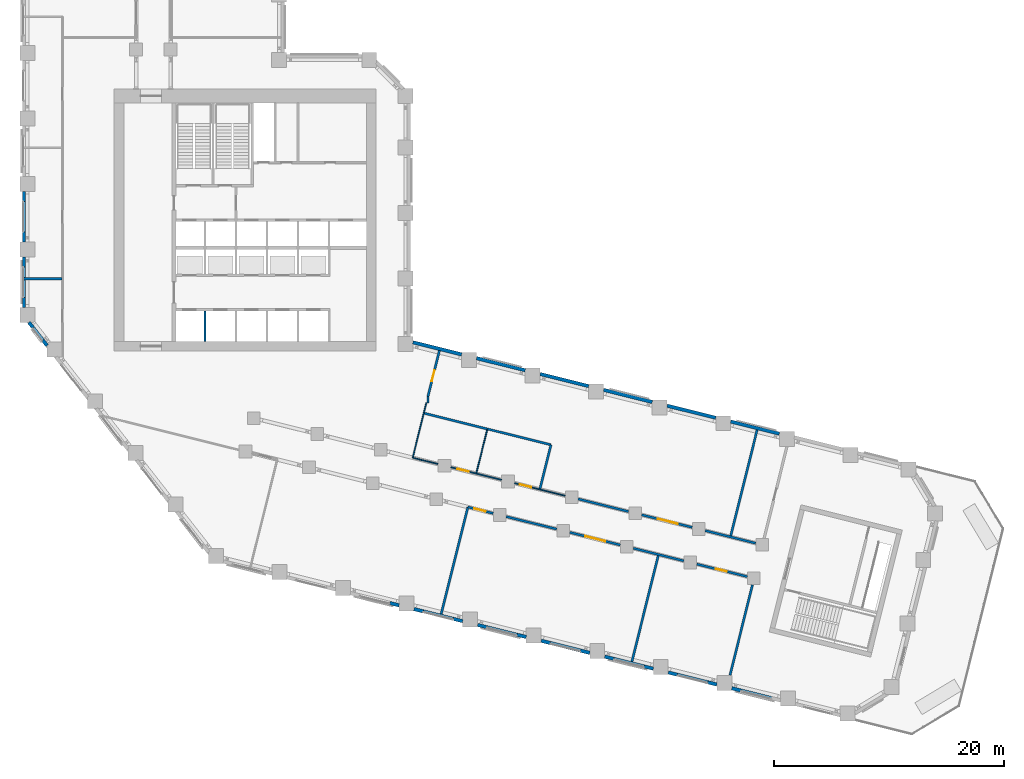
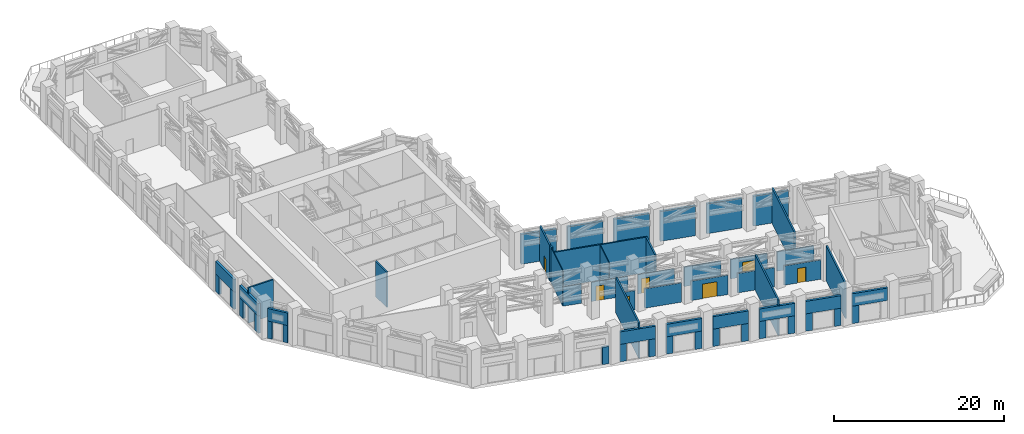
# One storey, part 13 of 21: 56 walls, 7 doors, 7 openings.
"""IFC4 building model written with IfcOpenShell, lengths in metres."""

from ifc_helpers import new_model, si_unit, direction, frame, frame_2d, origin, place, context, subcontext, project, spatial, rectangle, extrude, material, layer, layer_set, type_object, element, fill, save


model = new_model("IFC4")

# Units and contexts
model_context = context("Model", 3, precision=1e-05, world=origin(), true_north=direction((0.0, 1.0)))
body_context = subcontext(model_context, "Body", "Model", "MODEL_VIEW")
ifc_project = project(units=[si_unit("LENGTHUNIT", "METRE"), si_unit("AREAUNIT", "SQUARE_METRE"), si_unit("VOLUMEUNIT", "CUBIC_METRE"), si_unit("PLANEANGLEUNIT", "RADIAN"), si_unit("MASSUNIT", "GRAM", prefix="KILO")], contexts=[model_context])

# Site, building, storey
site_placement = place(None, origin())
site = spatial("IfcSite", under=ifc_project, at=site_placement, CompositionType="ELEMENT")
building_placement = place(site_placement, origin())
building = spatial("IfcBuilding", under=site, at=building_placement, Name="Meshkara Civic Tower", CompositionType="ELEMENT")
storey_placement = place(building_placement, frame((0.0, 0.0, 156.0)))
storey = spatial("IfcBuildingStorey", under=building, at=storey_placement, Name="L35", CompositionType="ELEMENT", Elevation=156.0)

# Walls
ifc_material_1 = material(Name="Corridor wall 100")
ifc_layer_1 = layer(ifc_material_1, 0.10009765625)
ifc_layer_set_1 = layer_set([ifc_layer_1], Name="Corridor wall 100")
wall_type_1 = type_object("IfcWallType", Name="Corridor wall 100", PredefinedType="PARTITIONING", material=ifc_layer_set_1)
wall_1_placement = place(storey_placement, frame((33.97607421875, 4.823974609375, 0.0), z_axis=(0.0, 0.0, 1.0), x_axis=(0.241940400058, 0.970291112409, 0.0)))
element("IfcWall", 1, at=wall_1_placement, inside=storey, type_object=wall_type_1, Name="L35-R015", PredefinedType="PARTITIONING", context=body_context, shape_type="SweptSolid", body=[
    extrude(rectangle(XDim=4.92236328125, YDim=0.10009765625, at=frame_2d((2.461181640625, 0.0))), origin(), (0.0, 0.0, 1.0), 5.10009765625),
])
wall_2_placement = place(storey_placement, frame((36.172119140625, 4.27587890625, 0.0), z_axis=(0.0, 0.0, 1.0), x_axis=(-0.970237599658, 0.242154909531, 0.0)))
element("IfcWall", 2, at=wall_2_placement, inside=storey, type_object=wall_type_1, Name="L35-R018", PredefinedType="PARTITIONING", context=body_context, shape_type="SweptSolid", body=[
    extrude(rectangle(XDim=2.263427734375, YDim=0.10009765625, at=frame_2d((1.1318359375, 0.0))), origin(), (0.0, 0.0, 1.0), 2.780029296875),
])

# Wall, opening, door
wall_3_placement = place(storey_placement, frame((37.31201171875, 3.991943359375, 0.0), z_axis=(0.0, 0.0, 1.0), x_axis=(0.97032316764, -0.241811807697, 0.0)))
wall_3 = element("IfcWall", 3, at=wall_3_placement, inside=storey, type_object=wall_type_1, Name="L35-R020", PredefinedType="PARTITIONING", context=body_context, shape_type="SweptSolid", body=[
    extrude(rectangle(XDim=4.524169921875, YDim=0.10009765625, at=frame_2d((2.26220703125, 0.0))), origin(), (0.0, 0.0, 1.0), 2.780029296875),
])
opening_1_placement = place(wall_3_placement, frame((0.580078125, 0.0, 0.0)))
opening_1 = element("IfcOpeningElement", 4, at=opening_1_placement, cuts=wall_3, Name="Opening L35-P005", PredefinedType="OPENING", context=body_context, shape_type="SweptSolid", body=[
    extrude(rectangle(XDim=1.0, YDim=2.10009765625, at=frame_2d((0.5, 1.050048828125))), frame((0.0, 0.06005859375, 0.0), z_axis=(0.0, -1.0, 0.0), x_axis=(1.0, 0.0, 0.0)), (0.0, 0.0, 1.0), 0.1201171875),
])
ifc_material_2 = material(Name="Door 1000 x 2100")
door_type_1 = type_object("IfcDoorType", Name="Door 1000 x 2100", OperationType="SINGLE_SWING_LEFT", PredefinedType="DOOR", material=ifc_material_2)
door_1_placement = place(opening_1_placement, origin())
door_1 = element("IfcDoor", 5, at=door_1_placement, inside=storey, type_object=door_type_1, Name="L35-P005", OperationType="SINGLE_SWING_RIGHT", OverallHeight=2.10009765625, OverallWidth=1.0, PredefinedType="DOOR", context=body_context, shape_type="SweptSolid", body=[
    extrude(rectangle(XDim=1.0, YDim=2.10009765625, at=frame_2d((0.5, 1.050048828125))), frame((0.0, 0.02490234375, 0.0), z_axis=(0.0, -1.0, 0.0), x_axis=(1.0, 0.0, 0.0)), (0.0, 0.0, 1.0), 0.050048828125),
])
fill(opening_1, door_1)

wall_4_placement = place(storey_placement, frame((42.842041015625, 2.614013671875, 0.0), z_axis=(0.0, 0.0, 1.0), x_axis=(0.970285139969, -0.241964351001, 0.0)))
wall_4 = element("IfcWall", 6, at=wall_4_placement, inside=storey, type_object=wall_type_1, Name="L35-R023", PredefinedType="PARTITIONING", context=body_context, shape_type="SweptSolid", body=[
    extrude(rectangle(XDim=4.525390625, YDim=0.10009765625, at=frame_2d((2.2626953125, 0.0))), origin(), (0.0, 0.0, 1.0), 2.780029296875),
])
opening_2_placement = place(wall_4_placement, frame((0.47998046875, 0.0, 0.0)))
opening_2 = element("IfcOpeningElement", 7, at=opening_2_placement, cuts=wall_4, Name="Opening L35-P007", PredefinedType="OPENING", context=body_context, shape_type="SweptSolid", body=[
    extrude(rectangle(XDim=1.0, YDim=2.10009765625, at=frame_2d((0.5, 1.050048828125))), frame((0.0, 0.06005859375, 0.0), z_axis=(0.0, -1.0, 0.0), x_axis=(1.0, 0.0, 0.0)), (0.0, 0.0, 1.0), 0.1201171875),
])
door_2_placement = place(opening_2_placement, origin())
door_2 = element("IfcDoor", 8, at=door_2_placement, inside=storey, type_object=door_type_1, Name="L35-P007", OperationType="SINGLE_SWING_LEFT", OverallHeight=2.10009765625, OverallWidth=1.0, PredefinedType="DOOR", context=body_context, shape_type="SweptSolid", body=[
    extrude(rectangle(XDim=1.0, YDim=2.10009765625, at=frame_2d((0.5, 1.050048828125))), frame((0.0, 0.02490234375, 0.0), z_axis=(0.0, -1.0, 0.0), x_axis=(1.0, 0.0, 0.0)), (0.0, 0.0, 1.0), 0.050048828125),
])
fill(opening_2, door_2)

# Walls
ifc_material_3 = material(Name="Insulated infill panel with bronze anodised aluminium cladding", Category="aluminium")
ifc_layer_2 = layer(ifc_material_3, 0.300048828125)
ifc_layer_set_2 = layer_set([ifc_layer_2], Name="EXTERNAL INFILL WALL 300")
wall_type_2 = type_object("IfcWallType", Name="EXTERNAL INFILL WALL 300", PredefinedType="SOLIDWALL", material=ifc_layer_set_2)
wall_5_placement = place(storey_placement, frame((65.884033203125, 6.9169921875, 0.0), z_axis=(0.0, 0.0, 1.0), x_axis=(-0.970346363444, 0.241718710386, 0.0)))
element("IfcWall", 9, at=wall_5_placement, inside=storey, type_object=wall_type_2, Name="External wall", PredefinedType="SOLIDWALL", context=body_context, shape_type="SweptSolid", body=[
    extrude(rectangle(XDim=4.3603515625, YDim=0.300048828125, at=frame_2d((2.18017578125, 0.0))), origin(), (0.0, 0.0, 1.0), 4.300048828125),
])
wall_6_placement = place(storey_placement, frame((60.35302734375, 8.2958984375, 0.0), z_axis=(0.0, 0.0, 1.0), x_axis=(-0.970320133294, 0.241823983352, 0.0)))
element("IfcWall", 10, at=wall_6_placement, inside=storey, type_object=wall_type_2, Name="External wall", PredefinedType="SOLIDWALL", context=body_context, shape_type="SweptSolid", body=[
    extrude(rectangle(XDim=4.359375, YDim=0.300048828125, at=frame_2d((2.1796875, 0.0))), origin(), (0.0, 0.0, 1.0), 4.300048828125),
])
for number, where, z_axis, x_axis, name in (
    (11, (54.822998046875, 9.675048828125, 0.0), (0.0, 0.0, 1.0), (-0.970346363444, 0.241718710386, 0.0), "External wall"),
    (12, (49.2919921875, 11.053955078125, 0.0), (0.0, 0.0, 1.0), (-0.970346363444, 0.241718710386, 0.0), "External wall"),
):
    element("IfcWall", number, at=place(storey_placement, frame(where, z_axis=z_axis, x_axis=x_axis)), inside=storey, type_object=wall_type_2, Name=name, PredefinedType="SOLIDWALL", context=body_context, shape_type="SweptSolid", body=[
        extrude(rectangle(XDim=4.3603515625, YDim=0.300048828125, at=frame_2d((2.18017578125, 0.0))), origin(), (0.0, 0.0, 1.0), 4.300048828125),
    ])
wall_7_placement = place(storey_placement, frame((43.760986328125, 12.43310546875, 0.0), z_axis=(0.0, 0.0, 1.0), x_axis=(-0.970333273122, 0.241771253611, 0.0)))
element("IfcWall", 13, at=wall_7_placement, inside=storey, type_object=wall_type_2, Name="External wall", PredefinedType="SOLIDWALL", context=body_context, shape_type="SweptSolid", body=[
    extrude(rectangle(XDim=4.359375, YDim=0.300048828125, at=frame_2d((2.1796875, 0.0))), origin(), (0.0, 0.0, 1.0), 4.300048828125),
])
wall_8_placement = place(storey_placement, frame((38.23095703125, 13.81201171875, 0.0), z_axis=(0.0, 0.0, 1.0), x_axis=(-0.970346363444, 0.241718710386, 0.0)))
element("IfcWall", 14, at=wall_8_placement, inside=storey, type_object=wall_type_2, Name="External wall", PredefinedType="SOLIDWALL", context=body_context, shape_type="SweptSolid", body=[
    extrude(rectangle(XDim=4.3603515625, YDim=0.300048828125, at=frame_2d((2.18017578125, 0.0))), origin(), (0.0, 0.0, 1.0), 4.300048828125),
])
wall_9_placement = place(storey_placement, frame((0.14990234375, 28.0048828125, 2.5), z_axis=(0.0, 0.0, 1.0), x_axis=(0.0, -1.0, 0.0)))
element("IfcWall", 15, at=wall_9_placement, inside=storey, type_object=wall_type_2, Name="External wall", PredefinedType="SOLIDWALL", context=body_context, shape_type="SweptSolid", body=[
    extrude(rectangle(XDim=4.39990234375, YDim=0.300048828125, at=frame_2d((2.199951171875, 0.0))), origin(), (0.0, 0.0, 1.0), 1.800048828125),
])
wall_10_placement = place(storey_placement, frame((0.14990234375, 22.303955078125, 2.5), z_axis=(0.0, 0.0, 1.0), x_axis=(0.0, -1.0, 0.0)))
element("IfcWall", 16, at=wall_10_placement, inside=storey, type_object=wall_type_2, Name="External wall", PredefinedType="SOLIDWALL", context=body_context, shape_type="SweptSolid", body=[
    extrude(rectangle(XDim=4.39892578125, YDim=0.300048828125, at=frame_2d((2.199462890625, 0.0))), origin(), (0.0, 0.0, 1.0), 1.800048828125),
])
wall_11_placement = place(storey_placement, frame((0.576904296875, 16.60498046875, 2.5), z_axis=(0.0, 0.0, 1.0), x_axis=(0.615748804275, -0.787942516961, 0.0)))
element("IfcWall", 17, at=wall_11_placement, inside=storey, type_object=wall_type_2, Name="External wall", PredefinedType="SOLIDWALL", context=body_context, shape_type="SweptSolid", body=[
    extrude(rectangle(XDim=2.57763671875, YDim=0.300048828125, at=frame_2d((1.288818359375, 0.0))), origin(), (0.0, 0.0, 1.0), 1.800048828125),
])
for number, where, z_axis, x_axis, name in (
    (18, (34.093017578125, -8.345947265625, 2.5), (0.0, 0.0, 1.0), (0.970346363444, -0.241718710386, 0.0), "External wall"),
    (19, (39.6240234375, -9.72509765625, 2.5), (0.0, 0.0, 1.0), (0.970346363444, -0.241718710386, 0.0), "External wall"),
):
    element("IfcWall", number, at=place(storey_placement, frame(where, z_axis=z_axis, x_axis=x_axis)), inside=storey, type_object=wall_type_2, Name=name, PredefinedType="SOLIDWALL", context=body_context, shape_type="SweptSolid", body=[
        extrude(rectangle(XDim=4.3603515625, YDim=0.300048828125, at=frame_2d((2.18017578125, 0.0))), origin(), (0.0, 0.0, 1.0), 1.800048828125),
    ])
wall_12_placement = place(storey_placement, frame((45.155029296875, -11.10400390625, 2.5), z_axis=(0.0, 0.0, 1.0), x_axis=(0.970333273122, -0.241771253611, 0.0)))
element("IfcWall", 20, at=wall_12_placement, inside=storey, type_object=wall_type_2, Name="External wall", PredefinedType="SOLIDWALL", context=body_context, shape_type="SweptSolid", body=[
    extrude(rectangle(XDim=4.359375, YDim=0.300048828125, at=frame_2d((2.1796875, 0.0))), origin(), (0.0, 0.0, 1.0), 1.800048828125),
])
wall_13_placement = place(storey_placement, frame((50.68505859375, -12.48291015625, 2.5), z_axis=(0.0, 0.0, 1.0), x_axis=(0.97033322915, -0.24177143009, 0.0)))
element("IfcWall", 21, at=wall_13_placement, inside=storey, type_object=wall_type_2, Name="External wall", PredefinedType="SOLIDWALL", context=body_context, shape_type="SweptSolid", body=[
    extrude(rectangle(XDim=4.3603515625, YDim=0.300048828125, at=frame_2d((2.18017578125, 0.0))), origin(), (0.0, 0.0, 1.0), 1.800048828125),
])
wall_14_placement = place(storey_placement, frame((56.216064453125, -13.861083984375, 2.5), z_axis=(0.0, 0.0, 1.0), x_axis=(0.970293811216, -0.241929576357, 0.0)))
element("IfcWall", 22, at=wall_14_placement, inside=storey, type_object=wall_type_2, Name="External wall", PredefinedType="SOLIDWALL", context=body_context, shape_type="SweptSolid", body=[
    extrude(rectangle(XDim=4.360595703125, YDim=0.300048828125, at=frame_2d((2.18017578125, 0.0))), origin(), (0.0, 0.0, 1.0), 1.800048828125),
])
wall_15_placement = place(storey_placement, frame((61.7470703125, -15.239990234375, 2.5), z_axis=(0.0, 0.0, 1.0), x_axis=(0.970280698755, -0.241982159721, 0.0)))
element("IfcWall", 23, at=wall_15_placement, inside=storey, type_object=wall_type_2, Name="External wall", PredefinedType="SOLIDWALL", context=body_context, shape_type="SweptSolid", body=[
    extrude(rectangle(XDim=4.359619140625, YDim=0.300048828125, at=frame_2d((2.1796875, 0.0))), origin(), (0.0, 0.0, 1.0), 1.800048828125),
])
ifc_material_4 = material(Name="Fire-rated wall 200")
ifc_layer_3 = layer(ifc_material_4, 0.199951171875)
ifc_layer_set_3 = layer_set([ifc_layer_3], Name="Fire-rated wall 200")
wall_type_3 = type_object("IfcWallType", Name="Fire-rated wall 200", PredefinedType="PARTITIONING", material=ifc_layer_set_3)
wall_16_placement = place(storey_placement, frame((35.300048828125, 9.60009765625, 0.0), z_axis=(0.0, 0.0, 1.0), x_axis=(0.0, 1.0, 0.0)))
element("IfcWall", 24, at=wall_16_placement, inside=storey, type_object=wall_type_3, Name="L35-R016", PredefinedType="PARTITIONING", context=body_context, shape_type="SweptSolid", body=[
    extrude(rectangle(XDim=0.533935546875, YDim=0.199951171875, at=frame_2d((0.26708984375, 0.0))), origin(), (0.0, 0.0, 1.0), 5.10009765625),
])

# Wall, opening, door
wall_17_placement = place(storey_placement, frame((35.300048828125, 10.134033203125, 0.0), z_axis=(0.0, 0.0, 1.0), x_axis=(0.242037004533, 0.970267019143, 0.0)))
wall_17 = element("IfcWall", 25, at=wall_17_placement, inside=storey, type_object=wall_type_3, Name="L35-R017", PredefinedType="PARTITIONING", context=body_context, shape_type="SweptSolid", body=[
    extrude(rectangle(XDim=4.147705078125, YDim=0.199951171875, at=frame_2d((2.07373046875, 0.0))), origin(), (0.0, 0.0, 1.0), 5.10009765625),
])
opening_3_placement = place(wall_17_placement, frame((1.3798828125, 0.0, 0.0)))
opening_3 = element("IfcOpeningElement", 26, at=opening_3_placement, cuts=wall_17, Name="Opening L35-P009", PredefinedType="OPENING", context=body_context, shape_type="SweptSolid", body=[
    extrude(rectangle(XDim=1.0, YDim=2.10009765625, at=frame_2d((0.5, 1.050048828125))), frame((0.0, 0.10986328125, 0.0), z_axis=(0.0, -1.0, 0.0), x_axis=(1.0, 0.0, 0.0)), (0.0, 0.0, 1.0), 0.219970703125),
])
door_3_placement = place(opening_3_placement, origin())
door_3 = element("IfcDoor", 27, at=door_3_placement, inside=storey, type_object=door_type_1, Name="L35-P009", OperationType="SINGLE_SWING_LEFT", OverallHeight=2.10009765625, OverallWidth=1.0, PredefinedType="DOOR", context=body_context, shape_type="SweptSolid", body=[
    extrude(rectangle(XDim=1.0, YDim=2.10009765625, at=frame_2d((0.5, 1.050048828125))), frame((0.0, 0.02490234375, 0.0), z_axis=(0.0, -1.0, 0.0), x_axis=(1.0, 0.0, 0.0)), (0.0, 0.0, 1.0), 0.050048828125),
])
fill(opening_3, door_3)

# Wall
wall_18_placement = place(storey_placement, frame((36.404296875, -9.000244140625, 0.0), z_axis=(0.0, 0.0, 1.0), x_axis=(0.241880791135, 0.970305973845, 0.0)))
element("IfcWall", 28, at=wall_18_placement, inside=storey, type_object=wall_type_3, Name="L35-R019", PredefinedType="PARTITIONING", context=body_context, shape_type="SweptSolid", body=[
    extrude(rectangle(XDim=9.825927734375, YDim=0.199951171875, at=frame_2d((4.9130859375, 0.0))), origin(), (0.0, 0.0, 1.0), 5.10009765625),
])

# Wall, opening, door
wall_19_placement = place(storey_placement, frame((38.781005859375, 0.533935546875, 0.0), z_axis=(0.0, 0.0, 1.0), x_axis=(0.970338982195, -0.241748339463, 0.0)))
wall_19 = element("IfcWall", 29, at=wall_19_placement, inside=storey, type_object=wall_type_3, Name="L35-R021", PredefinedType="PARTITIONING", context=body_context, shape_type="SweptSolid", body=[
    extrude(rectangle(XDim=2.26220703125, YDim=0.199951171875, at=frame_2d((1.131103515625, 0.0))), origin(), (0.0, 0.0, 1.0), 2.780029296875),
])
opening_4_placement = place(wall_19_placement, frame((0.580078125, 0.0, 0.0)))
opening_4 = element("IfcOpeningElement", 30, at=opening_4_placement, cuts=wall_19, Name="Opening L35-P006", PredefinedType="OPENING", context=body_context, shape_type="SweptSolid", body=[
    extrude(rectangle(XDim=1.0, YDim=2.10009765625, at=frame_2d((0.5, 1.050048828125))), frame((0.0, 0.10986328125, 0.0), z_axis=(0.0, -1.0, 0.0), x_axis=(1.0, 0.0, 0.0)), (0.0, 0.0, 1.0), 0.219970703125),
])
door_4_placement = place(opening_4_placement, origin())
door_4 = element("IfcDoor", 31, at=door_4_placement, inside=storey, type_object=door_type_1, Name="L35-P006", OperationType="SINGLE_SWING_RIGHT", OverallHeight=2.10009765625, OverallWidth=1.0, PredefinedType="DOOR", context=body_context, shape_type="SweptSolid", body=[
    extrude(rectangle(XDim=1.0, YDim=2.10009765625, at=frame_2d((0.5, 1.050048828125))), frame((0.0, 0.02490234375, 0.0), z_axis=(0.0, -1.0, 0.0), x_axis=(1.0, 0.0, 0.0)), (0.0, 0.0, 1.0), 0.050048828125),
])
fill(opening_4, door_4)

# Wall
wall_20_placement = place(storey_placement, frame((42.115966796875, -0.298095703125, 0.0), z_axis=(0.0, 0.0, 1.0), x_axis=(0.97033893856, -0.241748514605, 0.0)))
element("IfcWall", 32, at=wall_20_placement, inside=storey, type_object=wall_type_3, Name="L35-R022", PredefinedType="PARTITIONING", context=body_context, shape_type="SweptSolid", body=[
    extrude(rectangle(XDim=4.525390625, YDim=0.199951171875, at=frame_2d((2.2626953125, 0.0))), origin(), (0.0, 0.0, 1.0), 2.780029296875),
])

# Wall, opening, door
wall_21_placement = place(storey_placement, frame((47.64697265625, -1.677001953125, 0.0), z_axis=(0.0, 0.0, 1.0), x_axis=(0.97033893856, -0.241748514605, 0.0)))
wall_21 = element("IfcWall", 33, at=wall_21_placement, inside=storey, type_object=wall_type_3, Name="L35-R024", PredefinedType="PARTITIONING", context=body_context, shape_type="SweptSolid", body=[
    extrude(rectangle(XDim=4.525390625, YDim=0.199951171875, at=frame_2d((2.2626953125, 0.0))), origin(), (0.0, 0.0, 1.0), 2.780029296875),
])
opening_5_placement = place(wall_21_placement, frame((1.3798828125, 0.0, 0.0)))
opening_5 = element("IfcOpeningElement", 34, at=opening_5_placement, cuts=wall_21, Name="Opening L35-P001", PredefinedType="OPENING", context=body_context, shape_type="SweptSolid", body=[
    extrude(rectangle(XDim=1.800048828125, YDim=2.10009765625, at=frame_2d((0.89990234375, 1.050048828125))), frame((0.0, 0.10986328125, 0.0), z_axis=(0.0, -1.0, 0.0), x_axis=(1.0, 0.0, 0.0)), (0.0, 0.0, 1.0), 0.219970703125),
])
ifc_material_5 = material(Name="Door pair 1800 x 2100")
door_type_2 = type_object("IfcDoorType", Name="Door pair 1800 x 2100", OperationType="SINGLE_SWING_LEFT", PredefinedType="DOOR", material=ifc_material_5)
door_5_placement = place(opening_5_placement, origin())
door_5 = element("IfcDoor", 35, at=door_5_placement, inside=storey, type_object=door_type_2, Name="L35-P001", OperationType="DOUBLE_DOOR_SINGLE_SWING", OverallHeight=2.10009765625, OverallWidth=1.800048828125, PredefinedType="DOOR", context=body_context, shape_type="SweptSolid", body=[
    extrude(rectangle(XDim=1.800048828125, YDim=2.10009765625, at=frame_2d((0.89990234375, 1.050048828125))), frame((0.0, 0.02490234375, 0.0), z_axis=(0.0, -1.0, 0.0), x_axis=(1.0, 0.0, 0.0)), (0.0, 0.0, 1.0), 0.050048828125),
])
fill(opening_5, door_5)

# Walls
wall_22_placement = place(storey_placement, frame((52.763916015625, 0.139892578125, 0.0), z_axis=(0.0, 0.0, 1.0), x_axis=(-0.970335785367, 0.241761170655, 0.0)))
element("IfcWall", 36, at=wall_22_placement, inside=storey, type_object=wall_type_3, Name="L35-R025", PredefinedType="PARTITIONING", context=body_context, shape_type="SweptSolid", body=[
    extrude(rectangle(XDim=4.525146484375, YDim=0.199951171875, at=frame_2d((2.2626953125, 0.0))), origin(), (0.0, 0.0, 1.0), 2.780029296875),
])
wall_23_placement = place(storey_placement, frame((53.177978515625, -3.055908203125, 0.0), z_axis=(0.0, 0.0, 1.0), x_axis=(0.97033893856, -0.241748514605, 0.0)))
element("IfcWall", 37, at=wall_23_placement, inside=storey, type_object=wall_type_3, Name="L35-R026", PredefinedType="PARTITIONING", context=body_context, shape_type="SweptSolid", body=[
    extrude(rectangle(XDim=4.525390625, YDim=0.199951171875, at=frame_2d((2.2626953125, 0.0))), origin(), (0.0, 0.0, 1.0), 2.780029296875),
])

# Wall, opening, door
wall_24_placement = place(storey_placement, frame((58.2939453125, -1.239013671875, 0.0), z_axis=(0.0, 0.0, 1.0), x_axis=(-0.97032316764, 0.241811807697, 0.0)))
wall_24 = element("IfcWall", 38, at=wall_24_placement, inside=storey, type_object=wall_type_3, Name="L35-R027", PredefinedType="PARTITIONING", context=body_context, shape_type="SweptSolid", body=[
    extrude(rectangle(XDim=4.524169921875, YDim=0.199951171875, at=frame_2d((2.26220703125, 0.0))), origin(), (0.0, 0.0, 1.0), 2.780029296875),
])
opening_6_placement = place(wall_24_placement, frame((1.280029296875, 0.0, 0.0)))
opening_6 = element("IfcOpeningElement", 39, at=opening_6_placement, cuts=wall_24, Name="Opening L35-P002", PredefinedType="OPENING", context=body_context, shape_type="SweptSolid", body=[
    extrude(rectangle(XDim=1.800048828125, YDim=2.10009765625, at=frame_2d((0.89990234375, 1.050048828125))), frame((0.0, 0.10986328125, 0.0), z_axis=(0.0, -1.0, 0.0), x_axis=(1.0, 0.0, 0.0)), (0.0, 0.0, 1.0), 0.219970703125),
])
door_6_placement = place(opening_6_placement, origin())
door_6 = element("IfcDoor", 40, at=door_6_placement, inside=storey, type_object=door_type_2, Name="L35-P002", OperationType="DOUBLE_DOOR_SINGLE_SWING", OverallHeight=2.10009765625, OverallWidth=1.800048828125, PredefinedType="DOOR", context=body_context, shape_type="SweptSolid", body=[
    extrude(rectangle(XDim=1.800048828125, YDim=2.10009765625, at=frame_2d((0.89990234375, 1.050048828125))), frame((0.0, 0.02490234375, 0.0), z_axis=(0.0, -1.0, 0.0), x_axis=(1.0, 0.0, 0.0)), (0.0, 0.0, 1.0), 0.050048828125),
])
fill(opening_6, door_6)

wall_25_placement = place(storey_placement, frame((58.708984375, -4.43505859375, 0.0), z_axis=(0.0, 0.0, 1.0), x_axis=(0.970326322815, -0.241799146509, 0.0)))
wall_25 = element("IfcWall", 41, at=wall_25_placement, inside=storey, type_object=wall_type_3, Name="L35-R028", PredefinedType="PARTITIONING", context=body_context, shape_type="SweptSolid", body=[
    extrude(rectangle(XDim=4.5244140625, YDim=0.199951171875, at=frame_2d((2.26220703125, 0.0))), origin(), (0.0, 0.0, 1.0), 2.780029296875),
])
opening_7_placement = place(wall_25_placement, frame((1.679931640625, 0.0, 0.0)))
opening_7 = element("IfcOpeningElement", 42, at=opening_7_placement, cuts=wall_25, Name="Opening L35-P003", PredefinedType="OPENING", context=body_context, shape_type="SweptSolid", body=[
    extrude(rectangle(XDim=1.0, YDim=2.10009765625, at=frame_2d((0.5, 1.050048828125))), frame((0.0, 0.10986328125, 0.0), z_axis=(0.0, -1.0, 0.0), x_axis=(1.0, 0.0, 0.0)), (0.0, 0.0, 1.0), 0.219970703125),
])
door_7_placement = place(opening_7_placement, origin())
door_7 = element("IfcDoor", 43, at=door_7_placement, inside=storey, type_object=door_type_1, Name="L35-P003", OperationType="SINGLE_SWING_LEFT", OverallHeight=2.10009765625, OverallWidth=1.0, PredefinedType="DOOR", context=body_context, shape_type="SweptSolid", body=[
    extrude(rectangle(XDim=1.0, YDim=2.10009765625, at=frame_2d((0.5, 1.050048828125))), frame((0.0, 0.02490234375, 0.0), z_axis=(0.0, -1.0, 0.0), x_axis=(1.0, 0.0, 0.0)), (0.0, 0.0, 1.0), 0.050048828125),
])
fill(opening_7, door_7)

# Walls
wall_26_placement = place(storey_placement, frame((59.43408203125, -1.52294921875, 0.0), z_axis=(0.0, 0.0, 1.0), x_axis=(0.970285139969, -0.241964351001, 0.0)))
element("IfcWall", 44, at=wall_26_placement, inside=storey, type_object=wall_type_3, Name="L35-R029", PredefinedType="PARTITIONING", context=body_context, shape_type="SweptSolid", body=[
    extrude(rectangle(XDim=4.525390625, YDim=0.199951171875, at=frame_2d((2.2626953125, 0.0))), origin(), (0.0, 0.0, 1.0), 2.780029296875),
])
wall_27_placement = place(storey_placement, frame((63.548095703125, -6.240966796875, 0.0), z_axis=(0.0, 0.0, 1.0), x_axis=(-0.241890096052, -0.97030365424, 0.0)))
element("IfcWall", 45, at=wall_27_placement, inside=storey, type_object=wall_type_3, Name="L35-R030", PredefinedType="PARTITIONING", context=body_context, shape_type="SweptSolid", body=[
    extrude(rectangle(XDim=8.0986328125, YDim=0.199951171875, at=frame_2d((4.04931640625, 0.0))), origin(), (0.0, 0.0, 1.0), 5.10009765625),
])
wall_28_placement = place(storey_placement, frame((3.449951171875, 20.39990234375, 0.0), z_axis=(0.0, 0.0, 1.0), x_axis=(-1.0, 0.0, 0.0)))
element("IfcWall", 46, at=wall_28_placement, inside=storey, type_object=wall_type_3, Name="L35-R033", PredefinedType="PARTITIONING", context=body_context, shape_type="SweptSolid", body=[
    extrude(rectangle(XDim=3.3759765625, YDim=0.199951171875, at=frame_2d((1.68798828125, 0.0))), origin(), (0.0, 0.0, 1.0), 5.10009765625),
])
wall_29_placement = place(storey_placement, frame((34.992919921875, 8.693115234375, 0.0), z_axis=(0.0, 0.0, 1.0), x_axis=(0.97029161727, -0.241938375328, 0.0)))
element("IfcWall", 47, at=wall_29_placement, inside=storey, type_object=wall_type_3, Name="L35-R037", PredefinedType="PARTITIONING", context=body_context, shape_type="SweptSolid", body=[
    extrude(rectangle(XDim=11.350341796875, YDim=0.199951171875, at=frame_2d((5.67529296875, 0.0))), origin(), (0.0, 0.0, 1.0), 5.10009765625),
])
wall_30_placement = place(storey_placement, frame((45.050048828125, 2.114990234375, 0.0), z_axis=(0.0, 0.0, 1.0), x_axis=(0.242070161495, 0.970258747404, 0.0)))
element("IfcWall", 48, at=wall_30_placement, inside=storey, type_object=wall_type_3, Name="L35-R039", PredefinedType="PARTITIONING", context=body_context, shape_type="SweptSolid", body=[
    extrude(rectangle(XDim=3.949462890625, YDim=0.199951171875, at=frame_2d((1.974609375, 0.0))), origin(), (0.0, 0.0, 1.0), 5.10009765625),
])
wall_31_placement = place(storey_placement, frame((52.99658203125, -13.13623046875, 0.0), z_axis=(0.0, 0.0, 1.0), x_axis=(0.24190672972, 0.970299507429, 0.0)))
element("IfcWall", 49, at=wall_31_placement, inside=storey, type_object=wall_type_3, Name="L35-R040", PredefinedType="PARTITIONING", context=body_context, shape_type="SweptSolid", body=[
    extrude(rectangle(XDim=9.7744140625, YDim=0.199951171875, at=frame_2d((4.88720703125, 0.0))), origin(), (0.0, 0.0, 1.0), 5.10009765625),
])
wall_32_placement = place(storey_placement, frame((61.64208984375, -2.02197265625, 0.0), z_axis=(0.0, 0.0, 1.0), x_axis=(0.24188125674, 0.970305857778, 0.0)))
element("IfcWall", 50, at=wall_32_placement, inside=storey, type_object=wall_type_3, Name="L35-R041", PredefinedType="PARTITIONING", context=body_context, shape_type="SweptSolid", body=[
    extrude(rectangle(XDim=9.569580078125, YDim=0.199951171875, at=frame_2d((4.78466796875, 0.0))), origin(), (0.0, 0.0, 1.0), 5.10009765625),
])
ifc_material_6 = material(Name="Partition 100")
ifc_layer_4 = layer(ifc_material_6, 0.10009765625)
ifc_layer_set_4 = layer_set([ifc_layer_4], Name="Partition 100")
wall_type_4 = type_object("IfcWallType", Name="Partition 100", PredefinedType="PARTITIONING", material=ifc_layer_set_4)
wall_33_placement = place(storey_placement, frame((39.51904296875, 3.493896484375, 0.0), z_axis=(0.0, 0.0, 1.0), x_axis=(0.242064152871, 0.970260246478, 0.0)))
element("IfcWall", 51, at=wall_33_placement, inside=storey, type_object=wall_type_4, Name="L35-R038", PredefinedType="PARTITIONING", context=body_context, shape_type="SweptSolid", body=[
    extrude(rectangle(XDim=3.899169921875, YDim=0.10009765625, at=frame_2d((1.94970703125, 0.0))), origin(), (0.0, 0.0, 1.0), 5.10009765625),
])
ifc_material_7 = material(Name="Concrete C50", Category="concrete")
ifc_layer_5 = layer(ifc_material_7, 0.300048828125)
ifc_layer_set_5 = layer_set([ifc_layer_5], Name="SKY LOBBY PIER 300")
wall_type_5 = type_object("IfcWallType", Name="SKY LOBBY PIER 300", PredefinedType="SOLIDWALL", material=ifc_layer_set_5)
wall_34_placement = place(storey_placement, frame((0.14990234375, 28.0048828125, 0.0), z_axis=(0.0, 0.0, 1.0), x_axis=(0.0, -1.0, 0.0)))
element("IfcWall", 52, at=wall_34_placement, inside=storey, type_object=wall_type_5, Name="Sky lobby pier", PredefinedType="SOLIDWALL", context=body_context, shape_type="SweptSolid", body=[
    extrude(rectangle(XDim=0.880859375, YDim=0.300048828125, at=frame_2d((0.4404296875, 0.0))), origin(), (0.0, 0.0, 1.0), 2.5),
])
wall_35_placement = place(storey_placement, frame((0.14990234375, 24.486083984375, 0.0), z_axis=(0.0, 0.0, 1.0), x_axis=(0.0, -1.0, 0.0)))
element("IfcWall", 53, at=wall_35_placement, inside=storey, type_object=wall_type_5, Name="Sky lobby pier", PredefinedType="SOLIDWALL", context=body_context, shape_type="SweptSolid", body=[
    extrude(rectangle(XDim=0.881103515625, YDim=0.300048828125, at=frame_2d((0.4404296875, 0.0))), origin(), (0.0, 0.0, 1.0), 2.5),
])
for number, where, z_axis, x_axis, name in (
    (54, (0.14990234375, 22.303955078125, 0.0), (0.0, 0.0, 1.0), (0.0, -1.0, 0.0), "Sky lobby pier"),
    (55, (0.14990234375, 18.784912109375, 0.0), (0.0, 0.0, 1.0), (0.0, -1.0, 0.0), "Sky lobby pier"),
):
    element("IfcWall", number, at=place(storey_placement, frame(where, z_axis=z_axis, x_axis=x_axis)), inside=storey, type_object=wall_type_5, Name=name, PredefinedType="SOLIDWALL", context=body_context, shape_type="SweptSolid", body=[
        extrude(rectangle(XDim=0.8798828125, YDim=0.300048828125, at=frame_2d((0.43994140625, 0.0))), origin(), (0.0, 0.0, 1.0), 2.5),
    ])
wall_36_placement = place(storey_placement, frame((0.576904296875, 16.60498046875, 0.0), z_axis=(0.0, 0.0, 1.0), x_axis=(0.616330185583, -0.787487842661, 0.0)))
element("IfcWall", 56, at=wall_36_placement, inside=storey, type_object=wall_type_5, Name="Sky lobby pier", PredefinedType="SOLIDWALL", context=body_context, shape_type="SweptSolid", body=[
    extrude(rectangle(XDim=0.6005859375, YDim=0.300048828125, at=frame_2d((0.30029296875, 0.0))), origin(), (0.0, 0.0, 1.0), 2.5),
])
wall_37_placement = place(storey_placement, frame((1.7939453125, 15.047119140625, 0.0), z_axis=(0.0, 0.0, 1.0), x_axis=(0.616132909212, -0.787642201882, 0.0)))
element("IfcWall", 57, at=wall_37_placement, inside=storey, type_object=wall_type_5, Name="Sky lobby pier", PredefinedType="SOLIDWALL", context=body_context, shape_type="SweptSolid", body=[
    extrude(rectangle(XDim=0.600830078125, YDim=0.300048828125, at=frame_2d((0.30029296875, 0.0))), origin(), (0.0, 0.0, 1.0), 2.5),
])
for number, where, z_axis, x_axis, name in (
    (58, (31.991943359375, -7.822021484375, 0.0), (0.0, 0.0, 1.0), (0.970506794267, -0.241073769377, 0.0), "Sky lobby pier"),
    (59, (34.093017578125, -8.345947265625, 0.0), (0.0, 0.0, 1.0), (0.970506794267, -0.241073769377, 0.0), "Sky lobby pier"),
    (60, (37.52294921875, -9.200927734375, 0.0), (0.0, 0.0, 1.0), (0.970506794267, -0.241073769377, 0.0), "Sky lobby pier"),
    (61, (39.6240234375, -9.72509765625, 0.0), (0.0, 0.0, 1.0), (0.970506794267, -0.241073769377, 0.0), "Sky lobby pier"),
    (62, (43.053955078125, -10.580078125, 0.0), (0.0, 0.0, 1.0), (0.970506794267, -0.241073769377, 0.0), "Sky lobby pier"),
    (63, (45.155029296875, -11.10400390625, 0.0), (0.0, 0.0, 1.0), (0.970506794267, -0.241073769377, 0.0), "Sky lobby pier"),
    (64, (48.583984375, -11.958984375, 0.0), (0.0, 0.0, 1.0), (0.970506794267, -0.241073769377, 0.0), "Sky lobby pier"),
    (65, (50.68505859375, -12.48291015625, 0.0), (0.0, 0.0, 1.0), (0.970506794267, -0.241073769377, 0.0), "Sky lobby pier"),
    (66, (54.114990234375, -13.337890625, 0.0), (0.0, 0.0, 1.0), (0.970437553676, -0.241352344956, 0.0), "Sky lobby pier"),
):
    element("IfcWall", number, at=place(storey_placement, frame(where, z_axis=z_axis, x_axis=x_axis)), inside=storey, type_object=wall_type_5, Name=name, PredefinedType="SOLIDWALL", context=body_context, shape_type="SweptSolid", body=[
        extrude(rectangle(XDim=0.825439453125, YDim=0.300048828125, at=frame_2d((0.41259765625, 0.0))), origin(), (0.0, 0.0, 1.0), 2.5),
    ])
wall_38_placement = place(storey_placement, frame((56.216064453125, -13.861083984375, 0.0), z_axis=(0.0, 0.0, 1.0), x_axis=(0.970229411736, -0.242187713567, 0.0)))
element("IfcWall", 67, at=wall_38_placement, inside=storey, type_object=wall_type_5, Name="Sky lobby pier", PredefinedType="SOLIDWALL", context=body_context, shape_type="SweptSolid", body=[
    extrude(rectangle(XDim=0.82568359375, YDim=0.300048828125, at=frame_2d((0.412841796875, 0.0))), origin(), (0.0, 0.0, 1.0), 2.5),
])
wall_39_placement = place(storey_placement, frame((59.64599609375, -14.717041015625, 0.0), z_axis=(0.0, 0.0, 1.0), x_axis=(0.970506794267, -0.241073769377, 0.0)))
element("IfcWall", 68, at=wall_39_placement, inside=storey, type_object=wall_type_5, Name="Sky lobby pier", PredefinedType="SOLIDWALL", context=body_context, shape_type="SweptSolid", body=[
    extrude(rectangle(XDim=0.825439453125, YDim=0.300048828125, at=frame_2d((0.41259765625, 0.0))), origin(), (0.0, 0.0, 1.0), 2.5),
])
wall_40_placement = place(storey_placement, frame((61.7470703125, -15.239990234375, 0.0), z_axis=(0.0, 0.0, 1.0), x_axis=(0.970229411736, -0.242187713567, 0.0)))
element("IfcWall", 69, at=wall_40_placement, inside=storey, type_object=wall_type_5, Name="Sky lobby pier", PredefinedType="SOLIDWALL", context=body_context, shape_type="SweptSolid", body=[
    extrude(rectangle(XDim=0.82568359375, YDim=0.300048828125, at=frame_2d((0.412841796875, 0.0))), origin(), (0.0, 0.0, 1.0), 2.5),
])
ifc_material_8 = material(Name="Concrete C40/50", Category="concrete")
ifc_layer_6 = layer(ifc_material_8, 0.199951171875)
ifc_layer_set_6 = layer_set([ifc_layer_6], Name="Shaft wall 200 C40/50")
wall_type_6 = type_object("IfcWallType", Name="Shaft wall 200 C40/50", PredefinedType="SOLIDWALL", material=ifc_layer_set_6)
wall_41_placement = place(storey_placement, frame((15.89990234375, 14.949951171875, 0.0), z_axis=(0.0, 0.0, 1.0), x_axis=(0.0, 1.0, 0.0)))
element("IfcWall", 70, at=wall_41_placement, inside=storey, type_object=wall_type_6, Name="L35-C012", PredefinedType="SOLIDWALL", context=body_context, shape_type="SweptSolid", body=[
    extrude(rectangle(XDim=2.650146484375, YDim=0.199951171875, at=frame_2d((1.3251953125, 0.0))), origin(), (0.0, 0.0, 1.0), 5.10009765625),
])

save(model, "model.ifc")
